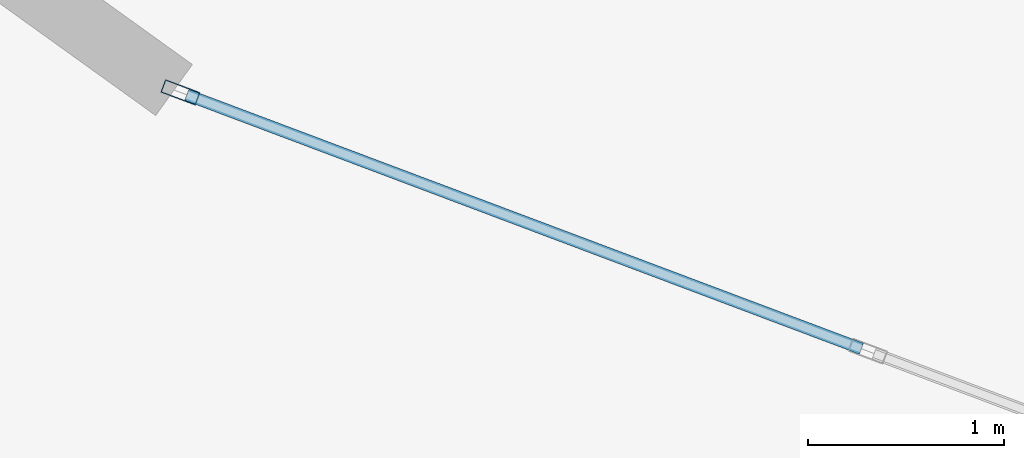
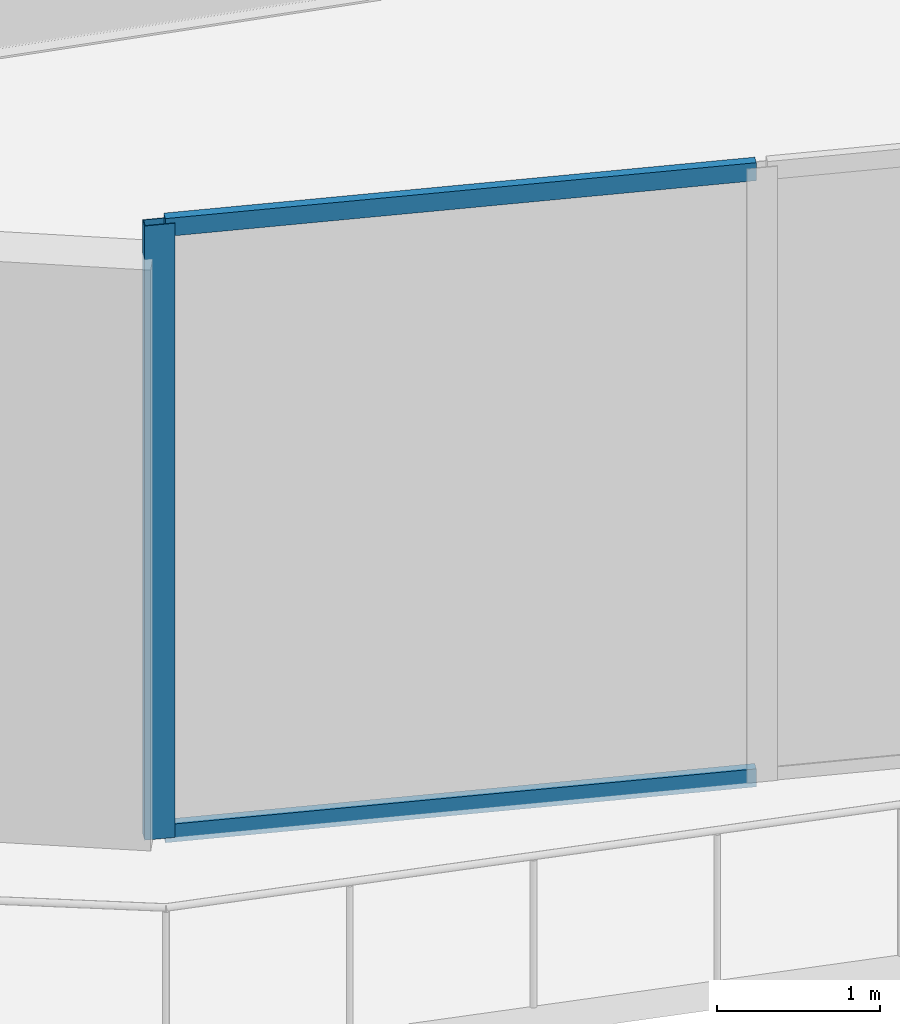
# One storey, part 2 of 28: 3 members, 1 element without a shape of its own.
"""IFC4 building model written with IfcOpenShell, lengths in metres."""

from ifc_helpers import new_model, si_unit, direction, frame, origin, origin_2d, place, context, subcontext, project, spatial, hollow_rectangle, extrude, source, transform, mapped, material, layer, layer_set, material_profile, profile_set, type_object, element, aggregate, save


model = new_model("IFC4")

# Units and contexts
model_context = context("Model", 3, precision=1e-05, world=origin(), true_north=direction((0.0, 1.0)))
body_context = subcontext(model_context, "Body", "Model", "MODEL_VIEW")
ifc_project = project(units=[si_unit("LENGTHUNIT", "METRE"), si_unit("AREAUNIT", "SQUARE_METRE"), si_unit("VOLUMEUNIT", "CUBIC_METRE"), si_unit("PLANEANGLEUNIT", "RADIAN"), si_unit("MASSUNIT", "GRAM", prefix="KILO")], contexts=[model_context])

# Site, building, storey
site_placement = place(None, origin())
site = spatial("IfcSite", under=ifc_project, at=site_placement, CompositionType="ELEMENT")
building_placement = place(site_placement, origin())
building = spatial("IfcBuilding", under=site, at=building_placement, Name="Solvirekh Grand Hotel", CompositionType="ELEMENT")
storey_placement = place(building_placement, frame((0.0, 0.0, 98.0)))
storey = spatial("IfcBuildingStorey", under=building, at=storey_placement, Name="L24", CompositionType="ELEMENT", Elevation=98.0)

# Curtain wall, members
ifc_material = material(Name="Anodized Bronze Aluminium 6063-T6", Category="aluminium")
ifc_layer = layer(ifc_material, 0.18994140625)
ifc_layer_set = layer_set([ifc_layer], Name="Anodized Bronze Aluminium 6063-T6")
curtain_wall_type = type_object("IfcCurtainWallType", Name="CW_Sys5_SkyLobbyPanoramaCW", PredefinedType="NOTDEFINED", material=ifc_layer_set)
curtain_wall_placement = place(storey_placement, origin())
curtain_wall = element("IfcCurtainWall", 1, at=curtain_wall_placement, inside=storey, type_object=curtain_wall_type, Name="L24 unitised bronze-glass curtain wall CW-L24-C16", PredefinedType="NOTDEFINED")
ifc_material_profile_1 = material_profile(ifc_material, hollow_rectangle(XDim=0.070068359375, YDim=0.18994140625, WallThickness=0.0048828125, at=origin_2d()), Name="ALU RHS 190X70X5")
ifc_profile_set_1 = profile_set([ifc_material_profile_1], Name="Anodized Bronze Aluminium 6063-T6")
member_type_1 = type_object("IfcMemberType", Name="CWMullion_Sys5", PredefinedType="MULLION", material=ifc_profile_set_1)
shared_shape_1 = source(origin(), body_context, "Body", "SweptSolid", [
    extrude(hollow_rectangle(XDim=0.070068359375, YDim=0.18994140625, WallThickness=0.0048828125, at=origin_2d()), origin(), (0.0, 0.0, 1.0), 4.60009765625),
])
member_1_placement = place(storey_placement, frame((-8.374267578125, -17.865234375, 0.0), z_axis=(0.0, 0.0, 1.0), x_axis=(0.352268419619, 0.935899011934, 0.0)))
member_1 = element("IfcMember", 2, at=member_1_placement, type_object=member_type_1, Name="U05 mullion 1", PredefinedType="MULLION", context=body_context, shape_type="MappedRepresentation", body=[
    mapped(shared_shape_1, transform((0.0, 0.0, 0.0), x_axis=(1.0, 0.0, 0.0), y_axis=(0.0, 1.0, 0.0), z_axis=(0.0, 0.0, 1.0), scale=1.0)),
])
ifc_material_profile_2 = material_profile(ifc_material, hollow_rectangle(XDim=0.06005859375, YDim=0.135009765625, WallThickness=0.00390625, at=origin_2d()), Name="ALU RHS 135X60X4")
ifc_profile_set_2 = profile_set([ifc_material_profile_2], Name="Anodized Bronze Aluminium 6063-T6")
member_type_2 = type_object("IfcMemberType", Name="CWTransom_Sys5", PredefinedType="USERDEFINED", material=ifc_profile_set_2)
shared_shape_2 = source(origin(), body_context, "Body", "SweptSolid", [
    extrude(hollow_rectangle(XDim=0.06005859375, YDim=0.135009765625, WallThickness=0.00390625, at=origin_2d()), origin(), (0.0, 0.0, 1.0), 3.6748046875),
])
member_2_placement = place(storey_placement, frame((-8.341552734375, -17.877685546875, 0.030029296875), z_axis=(0.935905299598, -0.352251714238, 0.0), x_axis=(0.352251714238, 0.935905299598, 0.0)))
member_2 = element("IfcMember", 3, at=member_2_placement, type_object=member_type_2, Name="U05 transom 1.1", ObjectType="TRANSOM", PredefinedType="USERDEFINED", context=body_context, shape_type="MappedRepresentation", body=[
    mapped(shared_shape_2, transform((0.0, 0.0, 0.0), x_axis=(1.0, 0.0, 0.0), y_axis=(0.0, 1.0, 0.0), z_axis=(0.0, 0.0, 1.0), scale=1.0)),
])
member_3_placement = place(storey_placement, frame((-8.341552734375, -17.877685546875, 4.570068359375), z_axis=(0.935905299598, -0.352251714238, 0.0), x_axis=(0.352251714238, 0.935905299598, 0.0)))
member_3 = element("IfcMember", 4, at=member_3_placement, type_object=member_type_2, Name="U05 transom 1.2", ObjectType="TRANSOM", PredefinedType="USERDEFINED", context=body_context, shape_type="MappedRepresentation", body=[
    mapped(shared_shape_2, transform((0.0, 0.0, 0.0), x_axis=(1.0, 0.0, 0.0), y_axis=(0.0, 1.0, 0.0), z_axis=(0.0, 0.0, 1.0), scale=1.0)),
])
aggregate(curtain_wall, [member_1, member_2, member_3])

save(model, "model.ifc")
